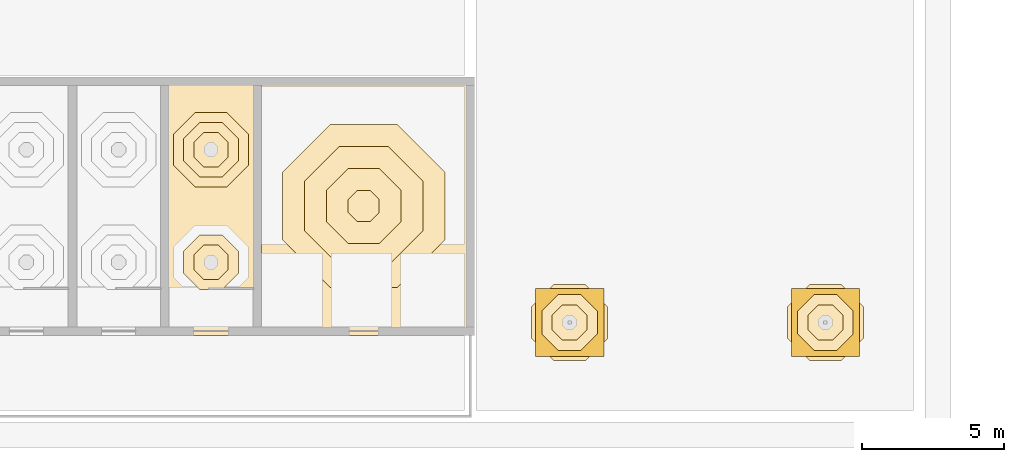
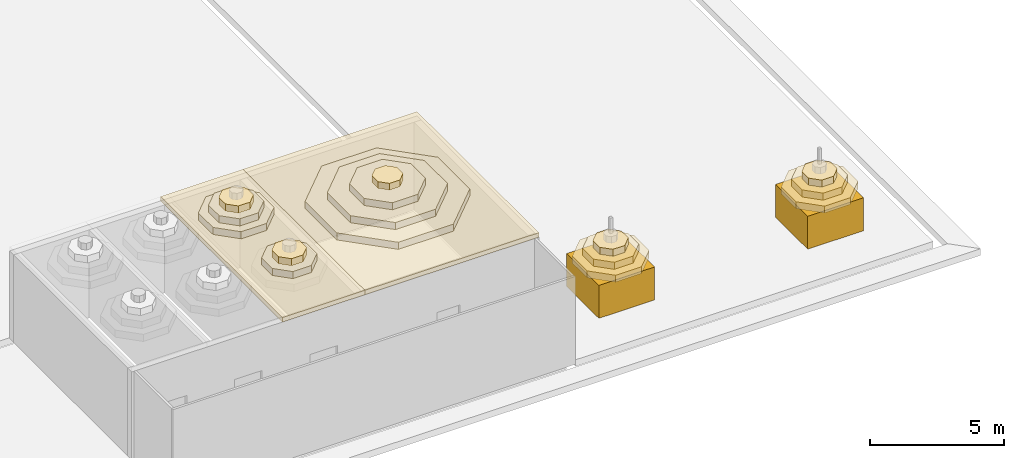
# One storey, part 23 of 63: 19 coverings.
"""IFC4 building model written with IfcOpenShell, lengths in metres."""

from ifc_helpers import new_model, si_unit, direction, frame, origin, place, context, subcontext, project, spatial, polyline, outline, extrude, material, layer, layer_set, type_object, element, save


model = new_model("IFC4")

# Units and contexts
model_context = context("Model", 3, precision=1e-05, world=origin(), true_north=direction((0.0, 1.0)))
body_context = subcontext(model_context, "Body", "Model", "MODEL_VIEW")
ifc_project = project(units=[si_unit("LENGTHUNIT", "METRE"), si_unit("AREAUNIT", "SQUARE_METRE"), si_unit("VOLUMEUNIT", "CUBIC_METRE"), si_unit("PLANEANGLEUNIT", "RADIAN"), si_unit("MASSUNIT", "GRAM", prefix="KILO")], contexts=[model_context])

# Site, building, storey
site_placement = place(None, origin())
site = spatial("IfcSite", under=ifc_project, at=site_placement, CompositionType="ELEMENT")
building_placement = place(site_placement, origin())
building = spatial("IfcBuilding", under=site, at=building_placement, Name="Noorbagh Ring Tower", CompositionType="ELEMENT")
storey_placement = place(building_placement, frame((0.0, 0.0, 25.0)))
storey = spatial("IfcBuildingStorey", under=building, at=storey_placement, Name="L04", CompositionType="ELEMENT", Elevation=25.0)

# Coverings
ifc_material_1 = material(Name="Cream sandstone dome cladding", Category="masonry")
ifc_layer_1 = layer(ifc_material_1, 0.199951171875)
ifc_layer_set_1 = layer_set([ifc_layer_1], Name="Cream sandstone dome cladding")
covering_type_1 = type_object("IfcCoveringType", Name="STH-CAP", PredefinedType="ROOFING", material=ifc_layer_set_1)
covering_1_placement = place(storey_placement, frame((0.0, 0.0, 4.0)))
element("IfcCovering", 1, at=covering_1_placement, inside=storey, type_object=covering_type_1, Name="Roof of the stair head", PredefinedType="ROOFING", context=body_context, shape_type="SweptSolid", body=[
    extrude(outline(polyline([(-121.89990234375, -17.949951171875), (-118.35009765625, -17.949951171875), (-118.35009765625, -8.85009765625), (-121.89990234375, -8.85009765625), (-121.89990234375, -17.949951171875)])), origin(), (0.0, 0.0, 1.0), 0.199951171875),
])
covering_2_placement = place(storey_placement, frame((0.0, 0.0, 4.0)))
element("IfcCovering", 2, at=covering_2_placement, inside=storey, type_object=covering_type_1, Name="Roof of the stair head", PredefinedType="ROOFING", context=body_context, shape_type="SweptSolid", body=[
    extrude(outline(polyline([(-118.64990234375, -17.949951171875), (-110.85009765625, -17.949951171875), (-110.85009765625, -8.85009765625), (-118.64990234375, -8.85009765625), (-118.64990234375, -17.949951171875)])), origin(), (0.0, 0.0, 1.0), 0.199951171875),
])
ifc_material_2 = material(Name="Cream sandstone dome cladding", Category="masonry")
ifc_layer_2 = layer(ifc_material_2, 0.300048828125)
ifc_layer_set_2 = layer_set([ifc_layer_2], Name="Cream sandstone dome cladding")
covering_type_2 = type_object("IfcCoveringType", Name="STH-DOME", PredefinedType="ROOFING", material=ifc_layer_set_2)
covering_3_placement = place(storey_placement, frame((0.0, 0.0, 4.52001953125)))
element("IfcCovering", 3, at=covering_3_placement, inside=storey, type_object=covering_type_2, Name="Dome over the stair head", PredefinedType="ROOFING", context=body_context, shape_type="SweptSolid", body=[
    extrude(outline(polyline([(-119.163818359375, -14.98193359375), (-119.726806640625, -14.4189453125), (-120.523193359375, -14.4189453125), (-121.086181640625, -14.98193359375), (-121.086181640625, -15.778076171875), (-120.523193359375, -16.341064453125), (-119.726806640625, -16.341064453125), (-119.163818359375, -15.778076171875), (-119.163818359375, -14.98193359375)])), origin(), (0.0, 0.0, 1.0), 0.320068359375),
])
covering_4_placement = place(storey_placement, frame((0.0, 0.0, 4.840087890625)))
element("IfcCovering", 4, at=covering_4_placement, inside=storey, type_object=covering_type_2, Name="Dome over the stair head", PredefinedType="ROOFING", context=body_context, shape_type="SweptSolid", body=[
    extrude(outline(polyline([(-119.519287109375, -15.129150390625), (-119.874267578125, -14.7744140625), (-120.375732421875, -14.7744140625), (-120.730712890625, -15.129150390625), (-120.730712890625, -15.630859375), (-120.375732421875, -15.985595703125), (-119.874267578125, -15.985595703125), (-119.519287109375, -15.630859375), (-119.519287109375, -15.129150390625)])), origin(), (0.0, 0.0, 1.0), 0.31982421875),
])
covering_5_placement = place(storey_placement, frame((0.0, 0.0, 4.199951171875)))
element("IfcCovering", 5, at=covering_5_placement, inside=storey, type_object=covering_type_2, Name="Dome over the stair head", PredefinedType="ROOFING", context=body_context, shape_type="SweptSolid", body=[
    extrude(outline(polyline([(-118.80859375, -10.874755859375), (-119.57958984375, -10.103515625), (-120.67041015625, -10.103515625), (-121.44140625, -10.874755859375), (-121.44140625, -11.96533203125), (-120.67041015625, -12.736572265625), (-119.57958984375, -12.736572265625), (-118.80859375, -11.96533203125), (-118.80859375, -10.874755859375)])), origin(), (0.0, 0.0, 1.0), 0.320068359375),
])
covering_6_placement = place(storey_placement, frame((0.0, 0.0, 4.52001953125)))
element("IfcCovering", 6, at=covering_6_placement, inside=storey, type_object=covering_type_2, Name="Dome over the stair head", PredefinedType="ROOFING", context=body_context, shape_type="SweptSolid", body=[
    extrude(outline(polyline([(-119.163818359375, -11.02197265625), (-119.726806640625, -10.458984375), (-120.523193359375, -10.458984375), (-121.086181640625, -11.02197265625), (-121.086181640625, -11.818115234375), (-120.523193359375, -12.381103515625), (-119.726806640625, -12.381103515625), (-119.163818359375, -11.818115234375), (-119.163818359375, -11.02197265625)])), origin(), (0.0, 0.0, 1.0), 0.320068359375),
])
covering_7_placement = place(storey_placement, frame((0.0, 0.0, 4.840087890625)))
element("IfcCovering", 7, at=covering_7_placement, inside=storey, type_object=covering_type_2, Name="Dome over the stair head", PredefinedType="ROOFING", context=body_context, shape_type="SweptSolid", body=[
    extrude(outline(polyline([(-119.519287109375, -11.169189453125), (-119.874267578125, -10.814453125), (-120.375732421875, -10.814453125), (-120.730712890625, -11.169189453125), (-120.730712890625, -11.6708984375), (-120.375732421875, -12.025634765625), (-119.874267578125, -12.025634765625), (-119.519287109375, -11.6708984375), (-119.519287109375, -11.169189453125)])), origin(), (0.0, 0.0, 1.0), 0.31982421875),
])
covering_8_placement = place(storey_placement, frame((0.0, 0.0, 4.199951171875)))
element("IfcCovering", 8, at=covering_8_placement, inside=storey, type_object=covering_type_2, Name="Dome over the stair head", PredefinedType="ROOFING", context=body_context, shape_type="SweptSolid", body=[
    extrude(outline(polyline([(-111.885986328125, -12.213623046875), (-113.563720703125, -10.535888671875), (-115.936279296875, -10.535888671875), (-117.614013671875, -12.213623046875), (-117.614013671875, -14.586181640625), (-115.936279296875, -16.263916015625), (-113.563720703125, -16.263916015625), (-111.885986328125, -14.586181640625), (-111.885986328125, -12.213623046875)])), origin(), (0.0, 0.0, 1.0), 0.320068359375),
])
covering_9_placement = place(storey_placement, frame((0.0, 0.0, 4.52001953125)))
element("IfcCovering", 9, at=covering_9_placement, inside=storey, type_object=covering_type_2, Name="Dome over the stair head", PredefinedType="ROOFING", context=body_context, shape_type="SweptSolid", body=[
    extrude(outline(polyline([(-112.6591796875, -12.533935546875), (-113.884033203125, -11.309326171875), (-115.615966796875, -11.309326171875), (-116.8408203125, -12.533935546875), (-116.8408203125, -14.26611328125), (-115.615966796875, -15.49072265625), (-113.884033203125, -15.49072265625), (-112.6591796875, -14.26611328125), (-112.6591796875, -12.533935546875)])), origin(), (0.0, 0.0, 1.0), 0.320068359375),
])
covering_10_placement = place(storey_placement, frame((0.0, 0.0, 4.840087890625)))
element("IfcCovering", 10, at=covering_10_placement, inside=storey, type_object=covering_type_2, Name="Dome over the stair head", PredefinedType="ROOFING", context=body_context, shape_type="SweptSolid", body=[
    extrude(outline(polyline([(-113.4326171875, -12.854248046875), (-114.204345703125, -12.08251953125), (-115.295654296875, -12.08251953125), (-116.0673828125, -12.854248046875), (-116.0673828125, -13.94580078125), (-115.295654296875, -14.717529296875), (-114.204345703125, -14.717529296875), (-113.4326171875, -13.94580078125), (-113.4326171875, -12.854248046875)])), origin(), (0.0, 0.0, 1.0), 0.31982421875),
])
covering_11_placement = place(storey_placement, frame((0.0, 0.0, 5.159912109375)))
element("IfcCovering", 11, at=covering_11_placement, inside=storey, type_object=covering_type_2, Name="Dome over the stair head", PredefinedType="ROOFING", context=body_context, shape_type="SweptSolid", body=[
    extrude(outline(polyline([(-114.205810546875, -13.174560546875), (-114.524658203125, -12.855712890625), (-114.975341796875, -12.855712890625), (-115.294189453125, -13.174560546875), (-115.294189453125, -13.62548828125), (-114.975341796875, -13.944091796875), (-114.524658203125, -13.944091796875), (-114.205810546875, -13.62548828125), (-114.205810546875, -13.174560546875)])), origin(), (0.0, 0.0, 1.0), 0.300048828125),
])
covering_12_placement = place(storey_placement, frame((0.0, 0.0, 1.5)))
element("IfcCovering", 12, at=covering_12_placement, inside=storey, type_object=covering_type_2, Name="Dome over the stair head", PredefinedType="ROOFING", context=body_context, shape_type="SweptSolid", body=[
    extrude(outline(polyline([(-97.160400390625, -16.945068359375), (-97.945068359375, -16.160400390625), (-99.054931640625, -16.160400390625), (-99.839599609375, -16.945068359375), (-99.839599609375, -18.054931640625), (-99.054931640625, -18.839599609375), (-97.945068359375, -18.839599609375), (-97.160400390625, -18.054931640625), (-97.160400390625, -16.945068359375)])), origin(), (0.0, 0.0, 1.0), 0.320068359375),
])
covering_13_placement = place(storey_placement, frame((0.0, 0.0, 1.820068359375)))
element("IfcCovering", 13, at=covering_13_placement, inside=storey, type_object=covering_type_2, Name="Dome over the stair head", PredefinedType="ROOFING", context=body_context, shape_type="SweptSolid", body=[
    extrude(outline(polyline([(-97.522216796875, -17.094970703125), (-98.094970703125, -16.522216796875), (-98.905029296875, -16.522216796875), (-99.477783203125, -17.094970703125), (-99.477783203125, -17.905029296875), (-98.905029296875, -18.477783203125), (-98.094970703125, -18.477783203125), (-97.522216796875, -17.905029296875), (-97.522216796875, -17.094970703125)])), origin(), (0.0, 0.0, 1.0), 0.31982421875),
])
covering_14_placement = place(storey_placement, frame((0.0, 0.0, 2.139892578125)))
element("IfcCovering", 14, at=covering_14_placement, inside=storey, type_object=covering_type_2, Name="Dome over the stair head", PredefinedType="ROOFING", context=body_context, shape_type="SweptSolid", body=[
    extrude(outline(polyline([(-97.8837890625, -17.244873046875), (-98.244873046875, -16.8837890625), (-98.755126953125, -16.8837890625), (-99.1162109375, -17.244873046875), (-99.1162109375, -17.755126953125), (-98.755126953125, -18.1162109375), (-98.244873046875, -18.1162109375), (-97.8837890625, -17.755126953125), (-97.8837890625, -17.244873046875)])), origin(), (0.0, 0.0, 1.0), 0.320068359375),
])
covering_15_placement = place(storey_placement, frame((0.0, 0.0, 1.5)))
element("IfcCovering", 15, at=covering_15_placement, inside=storey, type_object=covering_type_2, Name="Dome over the stair head", PredefinedType="ROOFING", context=body_context, shape_type="SweptSolid", body=[
    extrude(outline(polyline([(-106.160400390625, -16.945068359375), (-106.945068359375, -16.160400390625), (-108.054931640625, -16.160400390625), (-108.839599609375, -16.945068359375), (-108.839599609375, -18.054931640625), (-108.054931640625, -18.839599609375), (-106.945068359375, -18.839599609375), (-106.160400390625, -18.054931640625), (-106.160400390625, -16.945068359375)])), origin(), (0.0, 0.0, 1.0), 0.320068359375),
])
covering_16_placement = place(storey_placement, frame((0.0, 0.0, 1.820068359375)))
element("IfcCovering", 16, at=covering_16_placement, inside=storey, type_object=covering_type_2, Name="Dome over the stair head", PredefinedType="ROOFING", context=body_context, shape_type="SweptSolid", body=[
    extrude(outline(polyline([(-106.522216796875, -17.094970703125), (-107.094970703125, -16.522216796875), (-107.905029296875, -16.522216796875), (-108.477783203125, -17.094970703125), (-108.477783203125, -17.905029296875), (-107.905029296875, -18.477783203125), (-107.094970703125, -18.477783203125), (-106.522216796875, -17.905029296875), (-106.522216796875, -17.094970703125)])), origin(), (0.0, 0.0, 1.0), 0.31982421875),
])
covering_17_placement = place(storey_placement, frame((0.0, 0.0, 2.139892578125)))
element("IfcCovering", 17, at=covering_17_placement, inside=storey, type_object=covering_type_2, Name="Dome over the stair head", PredefinedType="ROOFING", context=body_context, shape_type="SweptSolid", body=[
    extrude(outline(polyline([(-106.8837890625, -17.244873046875), (-107.244873046875, -16.8837890625), (-107.755126953125, -16.8837890625), (-108.1162109375, -17.244873046875), (-108.1162109375, -17.755126953125), (-107.755126953125, -18.1162109375), (-107.244873046875, -18.1162109375), (-106.8837890625, -17.755126953125), (-106.8837890625, -17.244873046875)])), origin(), (0.0, 0.0, 1.0), 0.320068359375),
])
ifc_material_3 = material(Name="Red sandstone cladding", Category="masonry")
ifc_layer_3 = layer(ifc_material_3, 0.199951171875)
ifc_layer_set_3 = layer_set([ifc_layer_3], Name="Red sandstone cladding")
covering_type_3 = type_object("IfcCoveringType", Name="STH-KIOSK", PredefinedType="CLADDING", material=ifc_layer_set_3)
covering_18_placement = place(storey_placement, origin())
element("IfcCovering", 18, at=covering_18_placement, inside=storey, type_object=covering_type_3, Name="Roof kiosk", ObjectType="KIOSK", PredefinedType="CLADDING", context=body_context, shape_type="SweptSolid", body=[
    extrude(outline(polyline([(-99.699951171875, -18.699951171875), (-97.300048828125, -18.699951171875), (-97.300048828125, -16.300048828125), (-99.699951171875, -16.300048828125), (-99.699951171875, -18.699951171875)])), origin(), (0.0, 0.0, 1.0), 1.5),
])
covering_19_placement = place(storey_placement, origin())
element("IfcCovering", 19, at=covering_19_placement, inside=storey, type_object=covering_type_3, Name="Roof kiosk", ObjectType="KIOSK", PredefinedType="CLADDING", context=body_context, shape_type="SweptSolid", body=[
    extrude(outline(polyline([(-108.699951171875, -18.699951171875), (-106.300048828125, -18.699951171875), (-106.300048828125, -16.300048828125), (-108.699951171875, -16.300048828125), (-108.699951171875, -18.699951171875)])), origin(), (0.0, 0.0, 1.0), 1.5),
])

save(model, "model.ifc")
